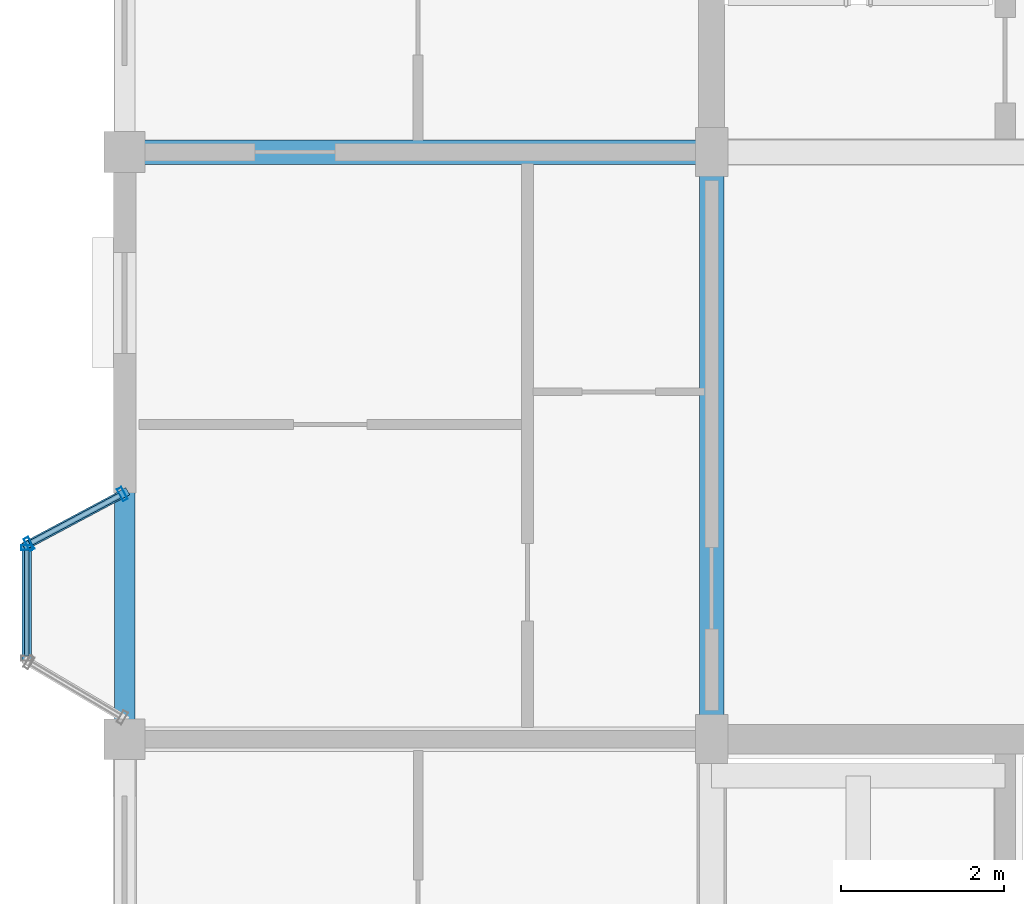
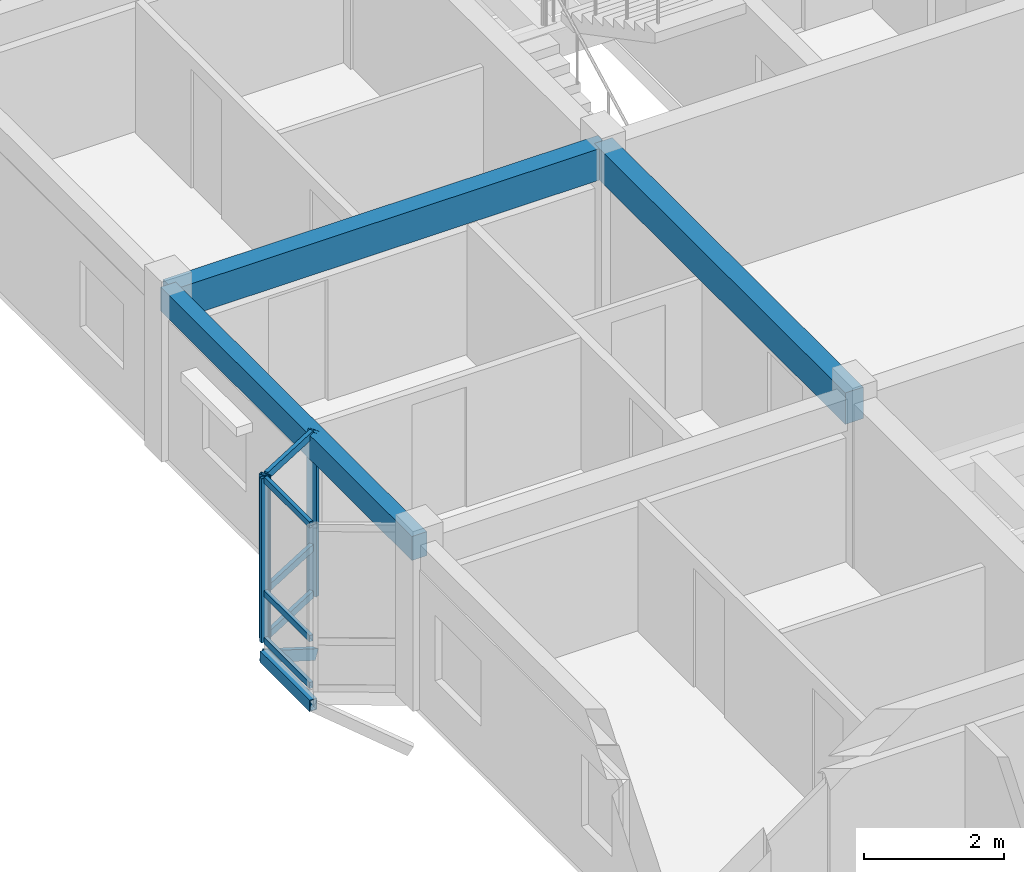
# One storey, part 10 of 65: 11 members, 3 beams, 2 elements without a shape of their own.
"""IFC4 building model written with IfcOpenShell, lengths in metres."""

from ifc_helpers import new_model, si_unit, direction, frame, origin, origin_2d, place, context, subcontext, project, spatial, rectangle, hollow_rectangle, extrude, material, layer, layer_set, material_profile, profile_set, type_object, element, aggregate, save


model = new_model("IFC4")

# Units and contexts
model_context = context("Model", 3, precision=1e-05, world=origin(), true_north=direction((0.0, 1.0)))
body_context = subcontext(model_context, "Body", "Model", "MODEL_VIEW")
ifc_project = project(units=[si_unit("LENGTHUNIT", "METRE"), si_unit("AREAUNIT", "SQUARE_METRE"), si_unit("VOLUMEUNIT", "CUBIC_METRE"), si_unit("PLANEANGLEUNIT", "RADIAN"), si_unit("MASSUNIT", "GRAM", prefix="KILO"), si_unit("THERMODYNAMICTEMPERATUREUNIT", "KELVIN"), si_unit("POWERUNIT", "WATT")], contexts=[model_context])

# Site, building, storey
site_placement = place(None, origin())
site = spatial("IfcSite", under=ifc_project, at=site_placement, CompositionType="ELEMENT")
building_placement = place(site_placement, origin())
building = spatial("IfcBuilding", under=site, at=building_placement, Name="Tavuni Mirador Residences", CompositionType="ELEMENT")
storey_placement = place(building_placement, frame((0.0, 0.0, 29.699951171875)))
storey = spatial("IfcBuildingStorey", under=building, at=storey_placement, Name="L09", CompositionType="ELEMENT", Elevation=29.699951171875)

# Beams
ifc_material_1 = material(Name="Precast concrete C40/50", Category="concrete")
ifc_material_profile_1 = material_profile(ifc_material_1, rectangle(XDim=0.300048828125, YDim=0.550048828125, at=origin_2d()), Name="PC 300x550", Category="concrete")
ifc_profile_set_1 = profile_set([ifc_material_profile_1], Name="Precast concrete C40/50")
beam_type_1 = type_object("IfcBeamType", Name="BT-B550", PredefinedType="BEAM", material=ifc_profile_set_1)
for number, where, z_axis, x_axis, name in (
    (1, (3.60009765625, 28.800048828125, 2.594970703125), (1.0, 0.0, 0.0), (0.0, 1.0, 0.0), "BMX-BLK-A-L09-00-03"),
    (2, (10.800048828125, 21.60009765625, 2.594970703125), (0.0, 1.0, 0.0), (-1.0, 0.0, 0.0), "BMY-BLK-A-L09-01-02"),
):
    element("IfcBeam", number, at=place(storey_placement, frame(where, z_axis=z_axis, x_axis=x_axis)), inside=storey, type_object=beam_type_1, Name=name, PredefinedType="BEAM", context=body_context, shape_type="SweptSolid", body=[
        extrude(rectangle(XDim=0.300048828125, YDim=0.550048828125, at=origin_2d()), origin(), (0.0, 0.0, 1.0), 7.199951171875),
    ])
ifc_material_profile_2 = material_profile(ifc_material_1, rectangle(XDim=0.25, YDim=0.419921875, at=origin_2d()), Name="PC 250x420", Category="concrete")
ifc_profile_set_2 = profile_set([ifc_material_profile_2], Name="Precast concrete C40/50")
beam_type_2 = type_object("IfcBeamType", Name="BT-SP420", PredefinedType="SPANDREL", material=ifc_profile_set_2)
beam_placement = place(storey_placement, frame((3.60009765625, 21.60009765625, 2.66015625), z_axis=(0.0, 1.0, 0.0), x_axis=(-1.0, 0.0, 0.0)))
element("IfcBeam", 3, at=beam_placement, inside=storey, type_object=beam_type_2, Name="BMY-BLK-A-L09-00-02", PredefinedType="SPANDREL", context=body_context, shape_type="SweptSolid", body=[
    extrude(rectangle(XDim=0.25, YDim=0.419921875, at=origin_2d()), origin(), (0.0, 0.0, 1.0), 7.199951171875),
])

# Curtain wall, member
ifc_material_2 = material(Name="Anodised aluminium", Category="aluminium")
ifc_layer_1 = layer(ifc_material_2, 0.1650390625, Name="Anodised aluminium", Category="aluminium")
ifc_layer_set_1 = layer_set([ifc_layer_1], Name="Anodised aluminium")
curtain_wall_type_1 = type_object("IfcCurtainWallType", Name="CWT-MIR-A", PredefinedType="NOTDEFINED", material=ifc_layer_set_1)
curtain_wall_1_placement = place(storey_placement, origin())
curtain_wall_1 = element("IfcCurtainWall", 4, at=curtain_wall_1_placement, inside=storey, type_object=curtain_wall_type_1, Name="CW-MIR-A-W2-L09-MF", PredefinedType="NOTDEFINED")
ifc_material_profile_3 = material_profile(ifc_material_2, hollow_rectangle(XDim=0.06005859375, YDim=0.139892578125, WallThickness=0.00390625, at=origin_2d()), Name="ALU 60x140x4.0", Category="aluminium")
ifc_profile_set_3 = profile_set([ifc_material_profile_3], Name="Anodised aluminium")
member_type_1 = type_object("IfcMemberType", Name="CWM-140", PredefinedType="MULLION", material=ifc_profile_set_3)
member_1_placement = place(storey_placement, frame((2.39990234375, 23.949951171875, 0.0), z_axis=(0.0, 0.0, 1.0), x_axis=(0.0, -1.0, 0.0)))
member_1 = element("IfcMember", 5, at=member_1_placement, type_object=member_type_1, Name="CW-01 mullion 1", PredefinedType="MULLION", context=body_context, shape_type="SweptSolid", body=[
    extrude(hollow_rectangle(XDim=0.06005859375, YDim=0.139892578125, WallThickness=0.00390625, at=origin_2d()), origin(), (0.0, 0.0, 1.0), 2.8701171875),
])

# Curtain wall, members
ifc_layer_2 = layer(ifc_material_2, 0.159912109375, Name="Anodised aluminium", Category="aluminium")
ifc_layer_set_2 = layer_set([ifc_layer_2], Name="Anodised aluminium")
curtain_wall_type_2 = type_object("IfcCurtainWallType", Name="CWT-MIR-D", PredefinedType="NOTDEFINED", material=ifc_layer_set_2)
curtain_wall_2_placement = place(storey_placement, origin())
curtain_wall_2 = element("IfcCurtainWall", 6, at=curtain_wall_2_placement, inside=storey, type_object=curtain_wall_type_2, Name="CW-MIR-A-W2-L09-M1", PredefinedType="NOTDEFINED")
ifc_material_profile_4 = material_profile(ifc_material_2, hollow_rectangle(XDim=0.06494140625, YDim=0.1650390625, WallThickness=0.00439453125, at=origin_2d()), Name="ALU 65x165x4.5", Category="aluminium")
ifc_profile_set_4 = profile_set([ifc_material_profile_4], Name="Anodised aluminium")
member_type_2 = type_object("IfcMemberType", Name="CWM-165", PredefinedType="MULLION", material=ifc_profile_set_4)
member_2_placement = place(storey_placement, frame((3.5712890625, 24.604736328125, 0.0), z_axis=(0.0, 0.0, 1.0), x_axis=(-0.882352941175, -0.470588235296, 0.0)))
member_2 = element("IfcMember", 7, at=member_2_placement, type_object=member_type_2, Name="CW-04 mullion 1", PredefinedType="MULLION", context=body_context, shape_type="SweptSolid", body=[
    extrude(hollow_rectangle(XDim=0.06494140625, YDim=0.1650390625, WallThickness=0.00439453125, at=origin_2d()), origin(), (0.0, 0.0, 1.0), 2.8701171875),
])
member_3_placement = place(storey_placement, frame((2.4287109375, 23.995361328125, 0.0), z_axis=(0.0, 0.0, 1.0), x_axis=(-0.882352941175, -0.470588235296, 0.0)))
member_3 = element("IfcMember", 8, at=member_3_placement, type_object=member_type_2, Name="CW-04 mullion 2", PredefinedType="MULLION", context=body_context, shape_type="SweptSolid", body=[
    extrude(hollow_rectangle(XDim=0.06494140625, YDim=0.1650390625, WallThickness=0.00439453125, at=origin_2d()), origin(), (0.0, 0.0, 1.0), 2.8701171875),
])

# Member
ifc_material_profile_5 = material_profile(ifc_material_2, hollow_rectangle(XDim=0.06005859375, YDim=0.110107421875, WallThickness=0.00390625, at=origin_2d()), Name="ALU 60x110x4.0", Category="aluminium")
ifc_profile_set_5 = profile_set([ifc_material_profile_5], Name="Anodised aluminium")
member_type_3 = type_object("IfcMemberType", Name="CWT-110", PredefinedType="USERDEFINED", material=ifc_profile_set_5)
member_4_placement = place(storey_placement, frame((2.39990234375, 23.919921875, 0.030029296875), z_axis=(0.0, -1.0, 0.0), x_axis=(1.0, 0.0, 0.0)))
member_4 = element("IfcMember", 9, at=member_4_placement, type_object=member_type_3, Name="CW-01 transom 1.1", ObjectType="TRANSOM", PredefinedType="USERDEFINED", context=body_context, shape_type="SweptSolid", body=[
    extrude(hollow_rectangle(XDim=0.06005859375, YDim=0.110107421875, WallThickness=0.00390625, at=origin_2d()), origin(), (0.0, 0.0, 1.0), 1.2998046875),
])

member_5_placement = place(storey_placement, frame((2.39990234375, 23.919921875, 0.85009765625), z_axis=(0.0, -1.0, 0.0), x_axis=(1.0, 0.0, 0.0)))
member_5 = element("IfcMember", 10, at=member_5_placement, type_object=member_type_3, Name="CW-01 transom 1.2", ObjectType="TRANSOM", PredefinedType="USERDEFINED", context=body_context, shape_type="SweptSolid", body=[
    extrude(hollow_rectangle(XDim=0.06005859375, YDim=0.110107421875, WallThickness=0.00390625, at=origin_2d()), origin(), (0.0, 0.0, 1.0), 1.2998046875),
])

member_6_placement = place(storey_placement, frame((2.39990234375, 23.919921875, 2.840087890625), z_axis=(0.0, -1.0, 0.0), x_axis=(1.0, 0.0, 0.0)))
member_6 = element("IfcMember", 11, at=member_6_placement, type_object=member_type_3, Name="CW-01 transom 1.3", ObjectType="TRANSOM", PredefinedType="USERDEFINED", context=body_context, shape_type="SweptSolid", body=[
    extrude(hollow_rectangle(XDim=0.06005859375, YDim=0.110107421875, WallThickness=0.00390625, at=origin_2d()), origin(), (0.0, 0.0, 1.0), 1.2998046875),
])

aggregate(curtain_wall_1, [member_1, member_4, member_5, member_6])

ifc_material_profile_6 = material_profile(ifc_material_2, hollow_rectangle(XDim=0.06494140625, YDim=0.125, WallThickness=0.00439453125, at=origin_2d()), Name="ALU 65x125x4.5", Category="aluminium")
ifc_profile_set_6 = profile_set([ifc_material_profile_6], Name="Anodised aluminium")
member_type_4 = type_object("IfcMemberType", Name="CWT-125", PredefinedType="USERDEFINED", material=ifc_profile_set_6)
member_7_placement = place(storey_placement, frame((3.542724609375, 24.58935546875, 0.032470703125), z_axis=(-0.882369422046, -0.47055733236, 0.0), x_axis=(0.47055733236, -0.882369422046, 0.0)))
member_7 = element("IfcMember", 12, at=member_7_placement, type_object=member_type_4, Name="CW-04 transom 1.1", ObjectType="TRANSOM", PredefinedType="USERDEFINED", context=body_context, shape_type="SweptSolid", body=[
    extrude(hollow_rectangle(XDim=0.06494140625, YDim=0.125, WallThickness=0.00439453125, at=origin_2d()), origin(), (0.0, 0.0, 1.0), 1.230224609375),
])

member_8_placement = place(storey_placement, frame((3.542724609375, 24.58935546875, 0.85009765625), z_axis=(-0.882369422046, -0.47055733236, 0.0), x_axis=(0.47055733236, -0.882369422046, 0.0)))
member_8 = element("IfcMember", 13, at=member_8_placement, type_object=member_type_4, Name="CW-04 transom 1.2", ObjectType="TRANSOM", PredefinedType="USERDEFINED", context=body_context, shape_type="SweptSolid", body=[
    extrude(hollow_rectangle(XDim=0.06494140625, YDim=0.125, WallThickness=0.00439453125, at=origin_2d()), origin(), (0.0, 0.0, 1.0), 1.230224609375),
])

member_9_placement = place(storey_placement, frame((3.542724609375, 24.58935546875, 2.837646484375), z_axis=(-0.882369422046, -0.47055733236, 0.0), x_axis=(0.47055733236, -0.882369422046, 0.0)))
member_9 = element("IfcMember", 14, at=member_9_placement, type_object=member_type_4, Name="CW-04 transom 1.3", ObjectType="TRANSOM", PredefinedType="USERDEFINED", context=body_context, shape_type="SweptSolid", body=[
    extrude(hollow_rectangle(XDim=0.06494140625, YDim=0.125, WallThickness=0.00439453125, at=origin_2d()), origin(), (0.0, 0.0, 1.0), 1.230224609375),
])

aggregate(curtain_wall_2, [member_2, member_3, member_7, member_8, member_9])

# Members
ifc_material_3 = material(Name="Structural steel S355", Category="steel")
ifc_material_profile_7 = material_profile(ifc_material_3, hollow_rectangle(XDim=0.10009765625, YDim=0.179931640625, WallThickness=0.008056640625, at=origin_2d()), Name="RHS 180x100x8.0", Category="steel")
ifc_profile_set_7 = profile_set([ifc_material_profile_7], Name="Structural steel S355")
member_type_5 = type_object("IfcMemberType", Name="MT-BR-RHS180", PredefinedType="BRACE", material=ifc_profile_set_7)
member_10_placement = place(storey_placement, frame((3.60009765625, 24.6201171875, -1.050048828125), z_axis=(-0.767847080655, -0.409539268811, 0.492634192918), x_axis=(0.470606866739, -0.882343004153, 0.0)))
element("IfcMember", 15, at=member_10_placement, inside=storey, type_object=member_type_5, Name="MBRK-MIR-A-W2-L09-2", PredefinedType="BRACE", context=body_context, shape_type="SweptSolid", body=[
    extrude(hollow_rectangle(XDim=0.10009765625, YDim=0.179931640625, WallThickness=0.008056640625, at=origin_2d()), origin(), (0.0, 0.0, 1.0), 1.56298828125),
])
ifc_material_profile_8 = material_profile(ifc_material_3, hollow_rectangle(XDim=0.1201171875, YDim=0.199951171875, WallThickness=0.010009765625, at=origin_2d()), Name="RHS 200x120x10.0", Category="steel")
ifc_profile_set_8 = profile_set([ifc_material_profile_8], Name="Structural steel S355")
member_type_6 = type_object("IfcMemberType", Name="MT-ST-RHS200", PredefinedType="STRUT", material=ifc_profile_set_8)
member_11_placement = place(storey_placement, frame((2.39990234375, 22.56005859375, -0.280029296875), z_axis=(0.0, 1.0, 0.0), x_axis=(-1.0, 0.0, 0.0)))
element("IfcMember", 16, at=member_11_placement, inside=storey, type_object=member_type_6, Name="MRIM-MIR-A-W2-L09", PredefinedType="STRUT", context=body_context, shape_type="SweptSolid", body=[
    extrude(hollow_rectangle(XDim=0.1201171875, YDim=0.199951171875, WallThickness=0.010009765625, at=origin_2d()), origin(), (0.0, 0.0, 1.0), 1.419921875),
])

save(model, "model.ifc")
